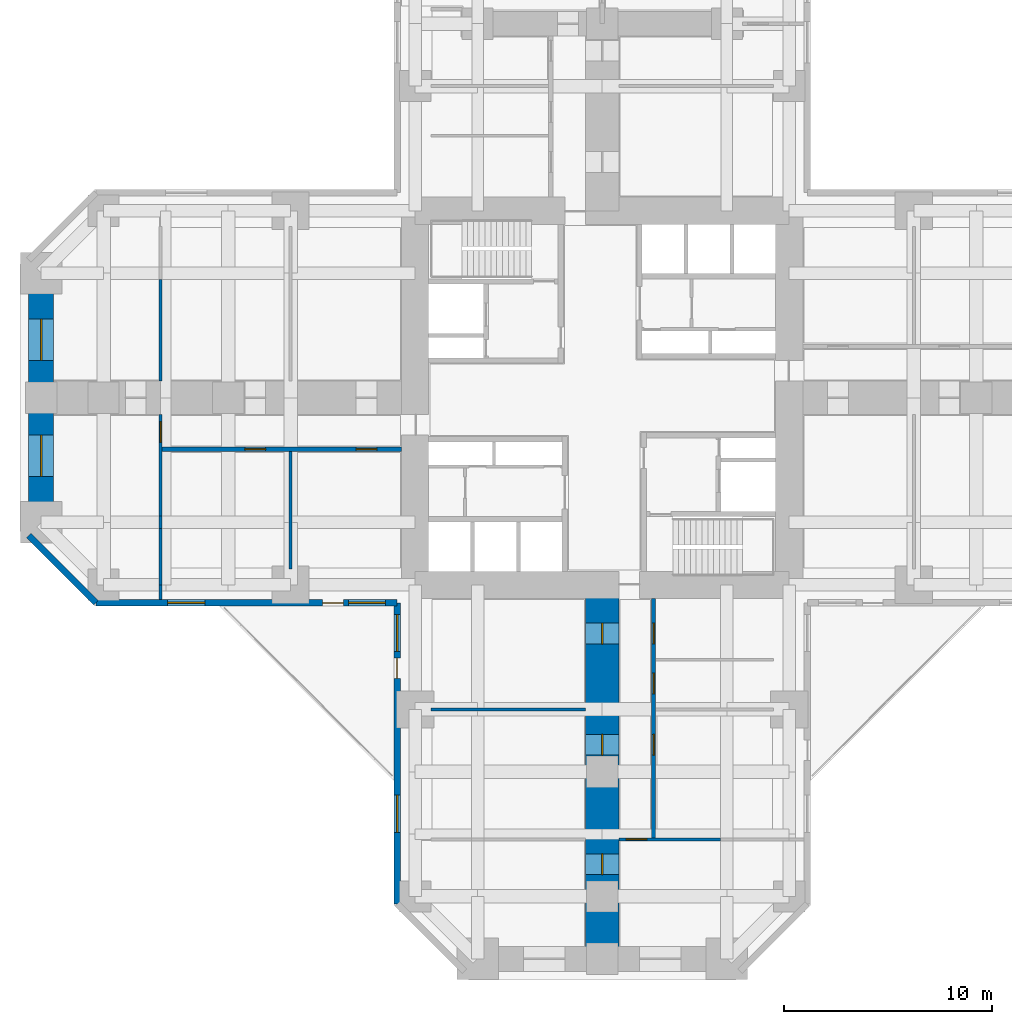
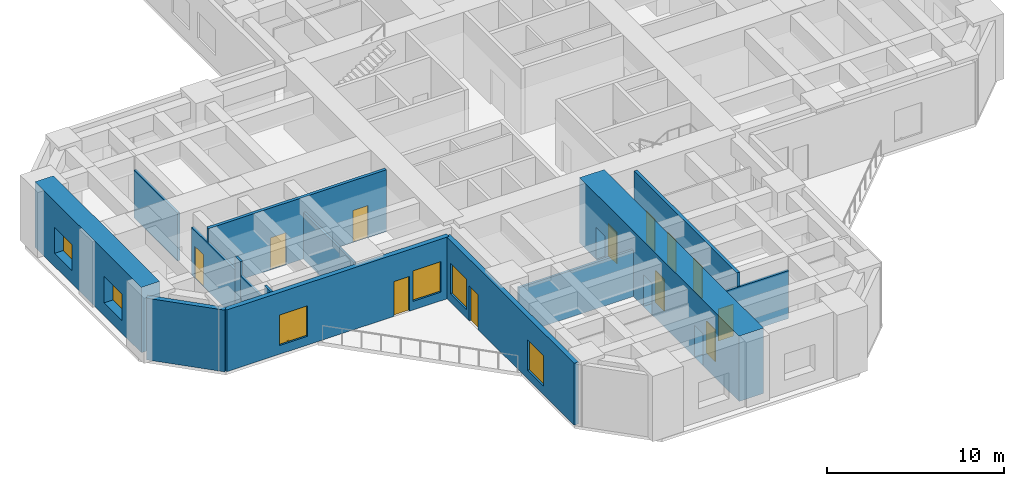
# One storey, part 3 of 8: 15 walls, 12 doors, 6 windows, 18 openings.
"""IFC4 building model written with IfcOpenShell, lengths in metres."""

from ifc_helpers import new_model, si_unit, direction, frame, frame_2d, origin, place, context, subcontext, project, spatial, rectangle, hollow_rectangle, extrude, material, layer, layer_set, constituent, constituent_set, type_object, element, fill, save


model = new_model("IFC4")

# Units and contexts
model_context = context("Model", 3, precision=1e-05, world=origin(), true_north=direction((0.0, 1.0)))
body_context = subcontext(model_context, "Body", "Model", "MODEL_VIEW")
ifc_project = project(units=[si_unit("LENGTHUNIT", "METRE"), si_unit("AREAUNIT", "SQUARE_METRE"), si_unit("VOLUMEUNIT", "CUBIC_METRE"), si_unit("PLANEANGLEUNIT", "RADIAN"), si_unit("MASSUNIT", "GRAM", prefix="KILO")], contexts=[model_context])

# Site, building, storey
site_placement = place(None, origin())
site = spatial("IfcSite", under=ifc_project, at=site_placement, CompositionType="ELEMENT")
building_placement = place(site_placement, origin())
building = spatial("IfcBuilding", under=site, at=building_placement, Name="Torre Cruceta", CompositionType="ELEMENT")
storey_placement = place(building_placement, frame((0.0, 0.0, 14.0)))
storey = spatial("IfcBuildingStorey", under=building, at=storey_placement, Name="L03", CompositionType="ELEMENT", Elevation=14.0)

# Wall, openings, doors
ifc_material_1 = material(Name="Concrete G25 (fck 25 MPa)", Category="concrete")
ifc_layer_1 = layer(ifc_material_1, 0.199951171875)
ifc_layer_set_1 = layer_set([ifc_layer_1], Name="Concrete G25 (fck 25 MPa)")
wall_type_1 = type_object("IfcWallType", Name="CORRIDOR WALL 200", PredefinedType="SOLIDWALL", material=ifc_layer_set_1)
wall_1_placement = place(storey_placement, frame((2.47509765625, -9.64990234375, 0.0), z_axis=(0.0, 0.0, 1.0), x_axis=(0.0, -1.0, 0.0)))
wall_1 = element("IfcWall", 1, at=wall_1_placement, inside=storey, type_object=wall_type_1, Name="PT3 L03-S-CL", PredefinedType="SOLIDWALL", context=body_context, shape_type="SweptSolid", body=[
    extrude(rectangle(XDim=11.60009765625, YDim=0.199951171875, at=frame_2d((5.800048828125, 0.0))), origin(), (0.0, 0.0, 1.0), 4.25),
])
opening_1_placement = place(wall_1_placement, frame((1.199951171875, 0.0, 0.0)))
opening_1 = element("IfcOpeningElement", 2, at=opening_1_placement, cuts=wall_1, Name="Opening D14", PredefinedType="OPENING", context=body_context, shape_type="SweptSolid", body=[
    extrude(rectangle(XDim=1.0, YDim=2.199951171875, at=frame_2d((0.5, 1.10009765625))), frame((0.0, 0.10986328125, 0.0), z_axis=(0.0, -1.0, 0.0), x_axis=(1.0, 0.0, 0.0)), (0.0, 0.0, 1.0), 0.219970703125),
])
opening_2_placement = place(wall_1_placement, frame((3.60009765625, 0.0, 0.0)))
opening_2 = element("IfcOpeningElement", 3, at=opening_2_placement, cuts=wall_1, Name="Opening D14", PredefinedType="OPENING", context=body_context, shape_type="SweptSolid", body=[
    extrude(rectangle(XDim=1.0, YDim=2.199951171875, at=frame_2d((0.5, 1.10009765625))), frame((0.0, 0.10986328125, 0.0), z_axis=(0.0, -1.0, 0.0), x_axis=(1.0, 0.0, 0.0)), (0.0, 0.0, 1.0), 0.219970703125),
])
opening_3_placement = place(wall_1_placement, frame((6.550048828125, 0.0, 0.0)))
opening_3 = element("IfcOpeningElement", 4, at=opening_3_placement, cuts=wall_1, Name="Opening D14", PredefinedType="OPENING", context=body_context, shape_type="SweptSolid", body=[
    extrude(rectangle(XDim=1.0, YDim=2.199951171875, at=frame_2d((0.5, 1.10009765625))), frame((0.0, 0.10986328125, 0.0), z_axis=(0.0, -1.0, 0.0), x_axis=(1.0, 0.0, 0.0)), (0.0, 0.0, 1.0), 0.219970703125),
])
ifc_material_2 = material(Name="Steel DX51D", Category="steel")
ifc_constituent_1 = constituent(ifc_material_2, Name="Leaf and frame")
ifc_material_3 = material(Name="Polyester powder coating", Category="paint")
ifc_constituent_2 = constituent(ifc_material_3, Name="Finish")
ifc_material_4 = material(Name="Fire-resisting glass", Category="glass")
ifc_constituent_3 = constituent(ifc_material_4, Name="Vision panel")
ifc_constituent_set_1 = constituent_set(constituents=[ifc_constituent_1, ifc_constituent_2, ifc_constituent_3], Name="Steel fire door with vision panel")
door_type_1 = type_object("IfcDoorType", Name="FIRE DOOR VISION PANEL 1000X2200", OperationType="SINGLE_SWING_RIGHT", PredefinedType="DOOR", material=ifc_constituent_set_1)
door_1_placement = place(opening_1_placement, origin())
door_1 = element("IfcDoor", 5, at=door_1_placement, inside=storey, type_object=door_type_1, Name="D14 L03-S-CL-D1", OperationType="SINGLE_SWING_RIGHT", OverallHeight=2.199951171875, OverallWidth=1.0, PredefinedType="DOOR", context=body_context, shape_type="SweptSolid", body=[
    extrude(rectangle(XDim=1.0, YDim=2.199951171875, at=frame_2d((0.5, 1.10009765625))), frame((0.0, 0.02490234375, 0.0), z_axis=(0.0, -1.0, 0.0), x_axis=(1.0, 0.0, 0.0)), (0.0, 0.0, 1.0), 0.050048828125),
])
fill(opening_1, door_1)
door_2_placement = place(opening_2_placement, origin())
door_2 = element("IfcDoor", 6, at=door_2_placement, inside=storey, type_object=door_type_1, Name="D14 L03-S-CL-D3", OperationType="SINGLE_SWING_LEFT", OverallHeight=2.199951171875, OverallWidth=1.0, PredefinedType="DOOR", context=body_context, shape_type="SweptSolid", body=[
    extrude(rectangle(XDim=1.0, YDim=2.199951171875, at=frame_2d((0.5, 1.10009765625))), frame((0.0, 0.02490234375, 0.0), z_axis=(0.0, -1.0, 0.0), x_axis=(1.0, 0.0, 0.0)), (0.0, 0.0, 1.0), 0.050048828125),
])
fill(opening_2, door_2)
door_3_placement = place(opening_3_placement, origin())
door_3 = element("IfcDoor", 7, at=door_3_placement, inside=storey, type_object=door_type_1, Name="D14 L03-S-CL-D2", OperationType="SINGLE_SWING_LEFT", OverallHeight=2.199951171875, OverallWidth=1.0, PredefinedType="DOOR", context=body_context, shape_type="SweptSolid", body=[
    extrude(rectangle(XDim=1.0, YDim=2.199951171875, at=frame_2d((0.5, 1.10009765625))), frame((0.0, 0.02490234375, 0.0), z_axis=(0.0, -1.0, 0.0), x_axis=(1.0, 0.0, 0.0)), (0.0, 0.0, 1.0), 0.050048828125),
])
fill(opening_3, door_3)

wall_2_placement = place(storey_placement, frame((-9.64990234375, -2.47509765625, 0.0), z_axis=(0.0, 0.0, 1.0), x_axis=(-1.0, 0.0, 0.0)))
wall_2 = element("IfcWall", 8, at=wall_2_placement, inside=storey, type_object=wall_type_1, Name="PT3 L03-W-CL", PredefinedType="SOLIDWALL", context=body_context, shape_type="SweptSolid", body=[
    extrude(rectangle(XDim=11.60009765625, YDim=0.199951171875, at=frame_2d((5.800048828125, 0.0))), origin(), (0.0, 0.0, 1.0), 4.25),
])
opening_4_placement = place(wall_2_placement, frame((1.199951171875, 0.0, 0.0)))
opening_4 = element("IfcOpeningElement", 9, at=opening_4_placement, cuts=wall_2, Name="Opening D14", PredefinedType="OPENING", context=body_context, shape_type="SweptSolid", body=[
    extrude(rectangle(XDim=1.0, YDim=2.199951171875, at=frame_2d((0.5, 1.10009765625))), frame((0.0, 0.10986328125, 0.0), z_axis=(0.0, -1.0, 0.0), x_axis=(1.0, 0.0, 0.0)), (0.0, 0.0, 1.0), 0.219970703125),
])
opening_5_placement = place(wall_2_placement, frame((6.550048828125, 0.0, 0.0)))
opening_5 = element("IfcOpeningElement", 10, at=opening_5_placement, cuts=wall_2, Name="Opening D14", PredefinedType="OPENING", context=body_context, shape_type="SweptSolid", body=[
    extrude(rectangle(XDim=1.0, YDim=2.199951171875, at=frame_2d((0.5, 1.10009765625))), frame((0.0, 0.10986328125, 0.0), z_axis=(0.0, -1.0, 0.0), x_axis=(1.0, 0.0, 0.0)), (0.0, 0.0, 1.0), 0.219970703125),
])
door_4_placement = place(opening_4_placement, origin())
door_4 = element("IfcDoor", 11, at=door_4_placement, inside=storey, type_object=door_type_1, Name="D14 L03-W-CL-D1", OperationType="SINGLE_SWING_LEFT", OverallHeight=2.199951171875, OverallWidth=1.0, PredefinedType="DOOR", context=body_context, shape_type="SweptSolid", body=[
    extrude(rectangle(XDim=1.0, YDim=2.199951171875, at=frame_2d((0.5, 1.10009765625))), frame((0.0, 0.02490234375, 0.0), z_axis=(0.0, -1.0, 0.0), x_axis=(1.0, 0.0, 0.0)), (0.0, 0.0, 1.0), 0.050048828125),
])
fill(opening_4, door_4)
door_5_placement = place(opening_5_placement, origin())
door_5 = element("IfcDoor", 12, at=door_5_placement, inside=storey, type_object=door_type_1, Name="D14 L03-W-CL-D2", OperationType="SINGLE_SWING_LEFT", OverallHeight=2.199951171875, OverallWidth=1.0, PredefinedType="DOOR", context=body_context, shape_type="SweptSolid", body=[
    extrude(rectangle(XDim=1.0, YDim=2.199951171875, at=frame_2d((0.5, 1.10009765625))), frame((0.0, 0.02490234375, 0.0), z_axis=(0.0, -1.0, 0.0), x_axis=(1.0, 0.0, 0.0)), (0.0, 0.0, 1.0), 0.050048828125),
])
fill(opening_5, door_5)

# Wall
ifc_material_5 = material(Name="Concrete G30 (fck 30 MPa)", Category="concrete")
ifc_layer_2 = layer(ifc_material_5, 0.300048828125)
ifc_layer_set_2 = layer_set([ifc_layer_2], Name="Concrete G30 (fck 30 MPa)")
wall_type_2 = type_object("IfcWallType", Name="EXPOSED CONCRETE FACADE WALL 300", PredefinedType="SOLIDWALL", material=ifc_layer_set_2)
wall_3_placement = place(storey_placement, frame((-27.60009765625, -6.63037109375, 0.0), z_axis=(0.0, 0.0, 1.0), x_axis=(0.707106781187, -0.707106781187, 0.0)))
element("IfcWall", 13, at=wall_3_placement, inside=storey, type_object=wall_type_2, Name="EW1 facade wall L03 W chamfer 13", PredefinedType="SOLIDWALL", context=body_context, shape_type="SweptSolid", body=[
    extrude(rectangle(XDim=4.581787109375, YDim=0.300048828125, at=frame_2d((2.291015625, 0.0))), origin(), (0.0, 0.0, 1.0), 4.25),
])

# Wall, openings, door, windows
wall_4_placement = place(storey_placement, frame((-24.3603515625, -9.8701171875, 0.0), z_axis=(0.0, 0.0, 1.0), x_axis=(1.0, 0.0, 0.0)))
wall_4 = element("IfcWall", 14, at=wall_4_placement, inside=storey, type_object=wall_type_2, Name="EW1 facade wall L03 W side 14", PredefinedType="SOLIDWALL", context=body_context, shape_type="SweptSolid", body=[
    extrude(rectangle(XDim=14.490234375, YDim=0.300048828125, at=frame_2d((7.2451171875, 0.0))), origin(), (0.0, 0.0, 1.0), 4.25),
])
opening_6_placement = place(wall_4_placement, frame((10.89990234375, 0.0, 0.0)))
opening_6 = element("IfcOpeningElement", 15, at=opening_6_placement, cuts=wall_4, Name="Opening D11", PredefinedType="OPENING", context=body_context, shape_type="SweptSolid", body=[
    extrude(rectangle(XDim=1.0, YDim=2.39990234375, at=frame_2d((0.5, 1.199951171875))), frame((0.0, 0.159912109375, 0.0), z_axis=(0.0, -1.0, 0.0), x_axis=(1.0, 0.0, 0.0)), (0.0, 0.0, 1.0), 0.320068359375),
])
opening_7_placement = place(wall_4_placement, frame((3.447021484375, 0.0, 0.60009765625)))
opening_7 = element("IfcOpeningElement", 16, at=opening_7_placement, cuts=wall_4, Name="Opening WN4", PredefinedType="OPENING", context=body_context, shape_type="SweptSolid", body=[
    extrude(rectangle(XDim=1.800048828125, YDim=2.10009765625, at=frame_2d((0.89990234375, 1.050048828125))), frame((0.0, 0.159912109375, 0.0), z_axis=(0.0, -1.0, 0.0), x_axis=(1.0, 0.0, 0.0)), (0.0, 0.0, 1.0), 0.320068359375),
])
opening_8_placement = place(wall_4_placement, frame((12.141357421875, 0.0, 0.60009765625)))
opening_8 = element("IfcOpeningElement", 17, at=opening_8_placement, cuts=wall_4, Name="Opening WN4", PredefinedType="OPENING", context=body_context, shape_type="SweptSolid", body=[
    extrude(rectangle(XDim=1.800048828125, YDim=2.10009765625, at=frame_2d((0.89990234375, 1.050048828125))), frame((0.0, 0.159912109375, 0.0), z_axis=(0.0, -1.0, 0.0), x_axis=(1.0, 0.0, 0.0)), (0.0, 0.0, 1.0), 0.320068359375),
])
ifc_material_6 = material(Name="Aluminium door frame", Category="aluminium")
ifc_constituent_4 = constituent(ifc_material_6, Name="Frame")
ifc_material_7 = material(Name="Laminated safety glass", Category="glass")
ifc_constituent_5 = constituent(ifc_material_7, Name="Glazing")
ifc_constituent_set_2 = constituent_set(constituents=[ifc_constituent_4, ifc_constituent_5], Name="Aluminium glazed door")
door_type_2 = type_object("IfcDoorType", Name="TERRACE DOOR 1000X2400", OperationType="SINGLE_SWING_LEFT", PredefinedType="DOOR", material=ifc_constituent_set_2)
door_6_placement = place(opening_6_placement, origin())
door_6 = element("IfcDoor", 18, at=door_6_placement, inside=storey, type_object=door_type_2, Name="D11 terrace door L03 W", OperationType="SINGLE_SWING_RIGHT", OverallHeight=2.39990234375, OverallWidth=1.0, PredefinedType="DOOR", context=body_context, shape_type="SweptSolid", body=[
    extrude(hollow_rectangle(XDim=1.0, YDim=2.39990234375, WallThickness=0.06005859375, at=frame_2d((0.5, 1.199951171875))), frame((0.0, 0.02490234375, 0.0), z_axis=(0.0, -1.0, 0.0), x_axis=(1.0, 0.0, 0.0)), (0.0, 0.0, 1.0), 0.050048828125),
    extrude(rectangle(XDim=0.87890625, YDim=2.27880859375, at=frame_2d((0.5, 1.199951171875))), frame((0.0, 0.02490234375, 0.0), z_axis=(0.0, -1.0, 0.0), x_axis=(1.0, 0.0, 0.0)), (0.0, 0.0, 1.0), 0.050048828125),
])
fill(opening_6, door_6)
ifc_material_8 = material(Name="Aluminium window frame", Category="aluminium")
ifc_constituent_6 = constituent(ifc_material_8, Name="Frame")
ifc_material_9 = material(Name="Laminated insulating glass unit, low-iron clear", Category="glass")
ifc_constituent_7 = constituent(ifc_material_9, Name="Glazing")
ifc_constituent_set_3 = constituent_set(constituents=[ifc_constituent_6, ifc_constituent_7], Name="Aluminium window")
window_type_1 = type_object("IfcWindowType", Name="TERRACE FRONT WINDOW 1800X2100", PartitioningType="SINGLE_PANEL", PredefinedType="WINDOW", material=ifc_constituent_set_3)
window_1_placement = place(opening_7_placement, origin())
window_1 = element("IfcWindow", 19, at=window_1_placement, inside=storey, type_object=window_type_1, Name="WN4 L03 W 2", OverallHeight=2.10009765625, OverallWidth=1.800048828125, PartitioningType="SINGLE_PANEL", PredefinedType="WINDOW", context=body_context, shape_type="SweptSolid", body=[
    extrude(hollow_rectangle(XDim=1.800048828125, YDim=2.10009765625, WallThickness=0.06005859375, at=frame_2d((0.89990234375, 1.050048828125))), frame((0.0, 0.030029296875, 0.0), z_axis=(0.0, -1.0, 0.0), x_axis=(1.0, 0.0, 0.0)), (0.0, 0.0, 1.0), 0.06005859375),
    extrude(rectangle(XDim=1.678955078125, YDim=1.97900390625, at=frame_2d((0.89990234375, 1.050048828125))), frame((0.0, 0.030029296875, 0.0), z_axis=(0.0, -1.0, 0.0), x_axis=(1.0, 0.0, 0.0)), (0.0, 0.0, 1.0), 0.06005859375),
])
fill(opening_7, window_1)
window_2_placement = place(opening_8_placement, origin())
window_2 = element("IfcWindow", 20, at=window_2_placement, inside=storey, type_object=window_type_1, Name="WN4 L03 W 5", OverallHeight=2.10009765625, OverallWidth=1.800048828125, PartitioningType="SINGLE_PANEL", PredefinedType="WINDOW", context=body_context, shape_type="SweptSolid", body=[
    extrude(hollow_rectangle(XDim=1.800048828125, YDim=2.10009765625, WallThickness=0.06005859375, at=frame_2d((0.89990234375, 1.050048828125))), frame((0.0, 0.030029296875, 0.0), z_axis=(0.0, -1.0, 0.0), x_axis=(1.0, 0.0, 0.0)), (0.0, 0.0, 1.0), 0.06005859375),
    extrude(rectangle(XDim=1.678955078125, YDim=1.97900390625, at=frame_2d((0.89990234375, 1.050048828125))), frame((0.0, 0.030029296875, 0.0), z_axis=(0.0, -1.0, 0.0), x_axis=(1.0, 0.0, 0.0)), (0.0, 0.0, 1.0), 0.06005859375),
])
fill(opening_8, window_2)

wall_5_placement = place(storey_placement, frame((-9.8701171875, -9.8701171875, 0.0), z_axis=(0.0, 0.0, 1.0), x_axis=(0.0, -1.0, 0.0)))
wall_5 = element("IfcWall", 21, at=wall_5_placement, inside=storey, type_object=wall_type_2, Name="EW1 facade wall L03 S side 15", PredefinedType="SOLIDWALL", context=body_context, shape_type="SweptSolid", body=[
    extrude(rectangle(XDim=14.490234375, YDim=0.300048828125, at=frame_2d((7.2451171875, 0.0))), origin(), (0.0, 0.0, 1.0), 4.25),
])
opening_9_placement = place(wall_5_placement, frame((2.64990234375, 0.0, 0.0)))
opening_9 = element("IfcOpeningElement", 22, at=opening_9_placement, cuts=wall_5, Name="Opening D11", PredefinedType="OPENING", context=body_context, shape_type="SweptSolid", body=[
    extrude(rectangle(XDim=1.0, YDim=2.39990234375, at=frame_2d((0.5, 1.199951171875))), frame((0.0, 0.159912109375, 0.0), z_axis=(0.0, -1.0, 0.0), x_axis=(1.0, 0.0, 0.0)), (0.0, 0.0, 1.0), 0.320068359375),
])
opening_10_placement = place(wall_5_placement, frame((0.549072265625, 0.0, 0.60009765625)))
opening_10 = element("IfcOpeningElement", 23, at=opening_10_placement, cuts=wall_5, Name="Opening WN4", PredefinedType="OPENING", context=body_context, shape_type="SweptSolid", body=[
    extrude(rectangle(XDim=1.800048828125, YDim=2.10009765625, at=frame_2d((0.89990234375, 1.050048828125))), frame((0.0, 0.159912109375, 0.0), z_axis=(0.0, -1.0, 0.0), x_axis=(1.0, 0.0, 0.0)), (0.0, 0.0, 1.0), 0.320068359375),
])
opening_11_placement = place(wall_5_placement, frame((9.2431640625, 0.0, 0.60009765625)))
opening_11 = element("IfcOpeningElement", 24, at=opening_11_placement, cuts=wall_5, Name="Opening WN4", PredefinedType="OPENING", context=body_context, shape_type="SweptSolid", body=[
    extrude(rectangle(XDim=1.800048828125, YDim=2.10009765625, at=frame_2d((0.89990234375, 1.050048828125))), frame((0.0, 0.159912109375, 0.0), z_axis=(0.0, -1.0, 0.0), x_axis=(1.0, 0.0, 0.0)), (0.0, 0.0, 1.0), 0.320068359375),
])
door_7_placement = place(opening_9_placement, origin())
door_7 = element("IfcDoor", 25, at=door_7_placement, inside=storey, type_object=door_type_2, Name="D11 terrace door L03 S", OperationType="SINGLE_SWING_LEFT", OverallHeight=2.39990234375, OverallWidth=1.0, PredefinedType="DOOR", context=body_context, shape_type="SweptSolid", body=[
    extrude(hollow_rectangle(XDim=1.0, YDim=2.39990234375, WallThickness=0.06005859375, at=frame_2d((0.5, 1.199951171875))), frame((0.0, 0.02490234375, 0.0), z_axis=(0.0, -1.0, 0.0), x_axis=(1.0, 0.0, 0.0)), (0.0, 0.0, 1.0), 0.050048828125),
    extrude(rectangle(XDim=0.87890625, YDim=2.27880859375, at=frame_2d((0.5, 1.199951171875))), frame((0.0, 0.02490234375, 0.0), z_axis=(0.0, -1.0, 0.0), x_axis=(1.0, 0.0, 0.0)), (0.0, 0.0, 1.0), 0.050048828125),
])
fill(opening_9, door_7)
window_3_placement = place(opening_10_placement, origin())
window_3 = element("IfcWindow", 26, at=window_3_placement, inside=storey, type_object=window_type_1, Name="WN4 L03 S 1", OverallHeight=2.10009765625, OverallWidth=1.800048828125, PartitioningType="SINGLE_PANEL", PredefinedType="WINDOW", context=body_context, shape_type="SweptSolid", body=[
    extrude(hollow_rectangle(XDim=1.800048828125, YDim=2.10009765625, WallThickness=0.06005859375, at=frame_2d((0.89990234375, 1.050048828125))), frame((0.0, 0.030029296875, 0.0), z_axis=(0.0, -1.0, 0.0), x_axis=(1.0, 0.0, 0.0)), (0.0, 0.0, 1.0), 0.06005859375),
    extrude(rectangle(XDim=1.678955078125, YDim=1.97900390625, at=frame_2d((0.89990234375, 1.050048828125))), frame((0.0, 0.030029296875, 0.0), z_axis=(0.0, -1.0, 0.0), x_axis=(1.0, 0.0, 0.0)), (0.0, 0.0, 1.0), 0.06005859375),
])
fill(opening_10, window_3)
window_4_placement = place(opening_11_placement, origin())
window_4 = element("IfcWindow", 27, at=window_4_placement, inside=storey, type_object=window_type_1, Name="WN4 L03 S 4", OverallHeight=2.10009765625, OverallWidth=1.800048828125, PartitioningType="SINGLE_PANEL", PredefinedType="WINDOW", context=body_context, shape_type="SweptSolid", body=[
    extrude(hollow_rectangle(XDim=1.800048828125, YDim=2.10009765625, WallThickness=0.06005859375, at=frame_2d((0.89990234375, 1.050048828125))), frame((0.0, 0.030029296875, 0.0), z_axis=(0.0, -1.0, 0.0), x_axis=(1.0, 0.0, 0.0)), (0.0, 0.0, 1.0), 0.06005859375),
    extrude(rectangle(XDim=1.678955078125, YDim=1.97900390625, at=frame_2d((0.89990234375, 1.050048828125))), frame((0.0, 0.030029296875, 0.0), z_axis=(0.0, -1.0, 0.0), x_axis=(1.0, 0.0, 0.0)), (0.0, 0.0, 1.0), 0.06005859375),
])
fill(opening_11, window_4)

# Wall, openings, windows
ifc_material_10 = material(Name="Concrete G60 (fck 60 MPa)", Category="concrete")
ifc_layer_3 = layer(ifc_material_10, 1.199951171875)
ifc_layer_set_3 = layer_set([ifc_layer_3], Name="Concrete G60 (fck 60 MPa)")
wall_type_3 = type_object("IfcWallType", Name="NOSE WALL 1200 G60", PredefinedType="SHEAR", material=ifc_layer_set_3)
wall_6_placement = place(storey_placement, frame((-27.0, 6.0, 0.0), z_axis=(0.0, 0.0, 1.0), x_axis=(0.0, -1.0, 0.0)))
wall_6 = element("IfcWall", 28, at=wall_6_placement, inside=storey, type_object=wall_type_3, Name="NW1 nose wall L03 W", PredefinedType="SHEAR", context=body_context, shape_type="SweptSolid", body=[
    extrude(rectangle(XDim=12.0, YDim=1.199951171875, at=frame_2d((6.0, 0.0))), origin(), (0.0, 0.0, 1.0), 4.5),
])
opening_12_placement = place(wall_6_placement, frame((2.199951171875, 0.0, 0.89990234375)))
opening_12 = element("IfcOpeningElement", 29, at=opening_12_placement, cuts=wall_6, Name="Opening WN1", PredefinedType="OPENING", context=body_context, shape_type="SweptSolid", body=[
    extrude(rectangle(XDim=2.0, YDim=1.800048828125, at=frame_2d((1.0, 0.89990234375))), frame((0.0, 0.60986328125, 0.0), z_axis=(0.0, -1.0, 0.0), x_axis=(1.0, 0.0, 0.0)), (0.0, 0.0, 1.0), 1.219970703125),
])
opening_13_placement = place(wall_6_placement, frame((7.800048828125, 0.0, 0.89990234375)))
opening_13 = element("IfcOpeningElement", 30, at=opening_13_placement, cuts=wall_6, Name="Opening WN1", PredefinedType="OPENING", context=body_context, shape_type="SweptSolid", body=[
    extrude(rectangle(XDim=2.0, YDim=1.800048828125, at=frame_2d((1.0, 0.89990234375))), frame((0.0, 0.60986328125, 0.0), z_axis=(0.0, -1.0, 0.0), x_axis=(1.0, 0.0, 0.0)), (0.0, 0.0, 1.0), 1.219970703125),
])
ifc_material_11 = material(Name="Aluminium window frame", Category="aluminium")
ifc_constituent_8 = constituent(ifc_material_11, Name="Frame")
ifc_material_12 = material(Name="Laminated insulating glass unit, low-iron clear", Category="glass")
ifc_constituent_9 = constituent(ifc_material_12, Name="Glazing")
ifc_constituent_set_4 = constituent_set(constituents=[ifc_constituent_8, ifc_constituent_9], Name="Aluminium window")
window_type_2 = type_object("IfcWindowType", Name="SCHOOL WINDOW 2000X1800", PartitioningType="SINGLE_PANEL", PredefinedType="WINDOW", material=ifc_constituent_set_4)
window_5_placement = place(opening_12_placement, origin())
window_5 = element("IfcWindow", 31, at=window_5_placement, inside=storey, type_object=window_type_2, Name="WN1 L03 W 1", OverallHeight=1.800048828125, OverallWidth=2.0, PartitioningType="SINGLE_PANEL", PredefinedType="WINDOW", context=body_context, shape_type="SweptSolid", body=[
    extrude(hollow_rectangle(XDim=2.0, YDim=1.800048828125, WallThickness=0.06005859375, at=frame_2d((1.0, 0.89990234375))), frame((0.0, 0.030029296875, 0.0), z_axis=(0.0, -1.0, 0.0), x_axis=(1.0, 0.0, 0.0)), (0.0, 0.0, 1.0), 0.06005859375),
    extrude(rectangle(XDim=1.87890625, YDim=1.678955078125, at=frame_2d((1.0, 0.89990234375))), frame((0.0, 0.030029296875, 0.0), z_axis=(0.0, -1.0, 0.0), x_axis=(1.0, 0.0, 0.0)), (0.0, 0.0, 1.0), 0.06005859375),
])
fill(opening_12, window_5)
window_6_placement = place(opening_13_placement, origin())
window_6 = element("IfcWindow", 32, at=window_6_placement, inside=storey, type_object=window_type_2, Name="WN1 L03 W 2", OverallHeight=1.800048828125, OverallWidth=2.0, PartitioningType="SINGLE_PANEL", PredefinedType="WINDOW", context=body_context, shape_type="SweptSolid", body=[
    extrude(hollow_rectangle(XDim=2.0, YDim=1.800048828125, WallThickness=0.06005859375, at=frame_2d((1.0, 0.89990234375))), frame((0.0, 0.030029296875, 0.0), z_axis=(0.0, -1.0, 0.0), x_axis=(1.0, 0.0, 0.0)), (0.0, 0.0, 1.0), 0.06005859375),
    extrude(rectangle(XDim=1.87890625, YDim=1.678955078125, at=frame_2d((1.0, 0.89990234375))), frame((0.0, 0.030029296875, 0.0), z_axis=(0.0, -1.0, 0.0), x_axis=(1.0, 0.0, 0.0)), (0.0, 0.0, 1.0), 0.06005859375),
])
fill(opening_13, window_6)

# Wall
ifc_material_13 = material(Name="Plasterboard on steel studs", Category="steel")
ifc_layer_4 = layer(ifc_material_13, 0.14990234375)
ifc_layer_set_4 = layer_set([ifc_layer_4], Name="Plasterboard on steel studs")
wall_type_4 = type_object("IfcWallType", Name="PARTITION 150", PredefinedType="PARTITIONING", material=ifc_layer_set_4)
wall_7_placement = place(storey_placement, frame((-8.25, -15.0, 0.0), z_axis=(0.0, 0.0, 1.0), x_axis=(1.0, 0.0, 0.0)))
element("IfcWall", 33, at=wall_7_placement, inside=storey, type_object=wall_type_4, Name="PT1 L03-S-P1R", PredefinedType="PARTITIONING", context=body_context, shape_type="SweptSolid", body=[
    extrude(rectangle(XDim=7.449951171875, YDim=0.14990234375, at=frame_2d((3.72509765625, 0.0))), origin(), (0.0, 0.0, 1.0), 3.199951171875),
])

# Wall, opening, door
wall_8_placement = place(storey_placement, frame((0.800048828125, -21.25, 0.0), z_axis=(0.0, 0.0, 1.0), x_axis=(1.0, 0.0, 0.0)))
wall_8 = element("IfcWall", 34, at=wall_8_placement, inside=storey, type_object=wall_type_4, Name="PT1 L03-S-ENDb", PredefinedType="PARTITIONING", context=body_context, shape_type="SweptSolid", body=[
    extrude(rectangle(XDim=4.89990234375, YDim=0.14990234375, at=frame_2d((2.449951171875, 0.0))), origin(), (0.0, 0.0, 1.0), 3.300048828125),
])
opening_14_placement = place(wall_8_placement, frame((0.35009765625, 0.0, 0.0)))
opening_14 = element("IfcOpeningElement", 35, at=opening_14_placement, cuts=wall_8, Name="Opening D14", PredefinedType="OPENING", context=body_context, shape_type="SweptSolid", body=[
    extrude(rectangle(XDim=1.0, YDim=2.199951171875, at=frame_2d((0.5, 1.10009765625))), frame((0.0, 0.0849609375, 0.0), z_axis=(0.0, -1.0, 0.0), x_axis=(1.0, 0.0, 0.0)), (0.0, 0.0, 1.0), 0.169921875),
])
door_8_placement = place(opening_14_placement, frame((1.0, 0.0, 0.0), z_axis=(0.0, 0.0, 1.0), x_axis=(-1.0, 0.0, 0.0)))
door_8 = element("IfcDoor", 36, at=door_8_placement, inside=storey, type_object=door_type_1, Name="D14 L03-S-ENDb-D1", OperationType="SINGLE_SWING_LEFT", OverallHeight=2.199951171875, OverallWidth=1.0, PredefinedType="DOOR", context=body_context, shape_type="SweptSolid", body=[
    extrude(rectangle(XDim=1.0, YDim=2.199951171875, at=frame_2d((0.5, 1.10009765625))), frame((0.0, 0.025146484375, 0.0), z_axis=(0.0, -1.0, 0.0), x_axis=(1.0, 0.0, 0.0)), (0.0, 0.0, 1.0), 0.050048828125),
])
fill(opening_14, door_8)

# Walls
wall_9_placement = place(storey_placement, frame((-15.0, -2.574951171875, 0.0), z_axis=(0.0, 0.0, 1.0), x_axis=(0.0, -1.0, 0.0)))
element("IfcWall", 37, at=wall_9_placement, inside=storey, type_object=wall_type_4, Name="PT1 L03-W-P1L", PredefinedType="PARTITIONING", context=body_context, shape_type="SweptSolid", body=[
    extrude(rectangle(XDim=5.675048828125, YDim=0.14990234375, at=frame_2d((2.83740234375, 0.0))), origin(), (0.0, 0.0, 1.0), 3.199951171875),
])
wall_10_placement = place(storey_placement, frame((-21.25, 5.699951171875, 0.0), z_axis=(0.0, 0.0, 1.0), x_axis=(0.0, -1.0, 0.0)))
element("IfcWall", 38, at=wall_10_placement, inside=storey, type_object=wall_type_4, Name="PT1 L03-W-ENDa 3", PredefinedType="PARTITIONING", context=body_context, shape_type="SweptSolid", body=[
    extrude(rectangle(XDim=4.89990234375, YDim=0.14990234375, at=frame_2d((2.449951171875, 0.0))), origin(), (0.0, 0.0, 1.0), 3.300048828125),
])

# Wall, opening, door
wall_11_placement = place(storey_placement, frame((-21.25, -0.800048828125, 0.0), z_axis=(0.0, 0.0, 1.0), x_axis=(0.0, -1.0, 0.0)))
wall_11 = element("IfcWall", 39, at=wall_11_placement, inside=storey, type_object=wall_type_4, Name="PT1 L03-W-ENDb", PredefinedType="PARTITIONING", context=body_context, shape_type="SweptSolid", body=[
    extrude(rectangle(XDim=4.89990234375, YDim=0.14990234375, at=frame_2d((2.449951171875, 0.0))), origin(), (0.0, 0.0, 1.0), 3.300048828125),
])
opening_15_placement = place(wall_11_placement, frame((0.35009765625, 0.0, 0.0)))
opening_15 = element("IfcOpeningElement", 40, at=opening_15_placement, cuts=wall_11, Name="Opening D14", PredefinedType="OPENING", context=body_context, shape_type="SweptSolid", body=[
    extrude(rectangle(XDim=1.0, YDim=2.199951171875, at=frame_2d((0.5, 1.10009765625))), frame((0.0, 0.0849609375, 0.0), z_axis=(0.0, -1.0, 0.0), x_axis=(1.0, 0.0, 0.0)), (0.0, 0.0, 1.0), 0.169921875),
])
door_9_placement = place(opening_15_placement, frame((1.0, 0.0, 0.0), z_axis=(0.0, 0.0, 1.0), x_axis=(-1.0, 0.0, 0.0)))
door_9 = element("IfcDoor", 41, at=door_9_placement, inside=storey, type_object=door_type_1, Name="D14 L03-W-ENDb-D1", OperationType="SINGLE_SWING_LEFT", OverallHeight=2.199951171875, OverallWidth=1.0, PredefinedType="DOOR", context=body_context, shape_type="SweptSolid", body=[
    extrude(rectangle(XDim=1.0, YDim=2.199951171875, at=frame_2d((0.5, 1.10009765625))), frame((0.0, 0.025146484375, 0.0), z_axis=(0.0, -1.0, 0.0), x_axis=(1.0, 0.0, 0.0)), (0.0, 0.0, 1.0), 0.050048828125),
])
fill(opening_15, door_9)

# Walls
wall_12_placement = place(storey_placement, frame((-21.25, -5.699951171875, 0.0), z_axis=(0.0, 0.0, 1.0), x_axis=(0.0, -1.0, 0.0)))
element("IfcWall", 42, at=wall_12_placement, inside=storey, type_object=wall_type_4, Name="PT1 L03-W-ENDb 2", PredefinedType="PARTITIONING", context=body_context, shape_type="SweptSolid", body=[
    extrude(rectangle(XDim=0.60009765625, YDim=0.14990234375, at=frame_2d((0.300048828125, 0.0))), origin(), (0.0, 0.0, 1.0), 4.25),
])
wall_13_placement = place(storey_placement, frame((-21.25, -6.300048828125, 0.0), z_axis=(0.0, 0.0, 1.0), x_axis=(0.0, -1.0, 0.0)))
element("IfcWall", 43, at=wall_13_placement, inside=storey, type_object=wall_type_4, Name="PT1 L03-W-ENDb 3", PredefinedType="PARTITIONING", context=body_context, shape_type="SweptSolid", body=[
    extrude(rectangle(XDim=2.699951171875, YDim=0.14990234375, at=frame_2d((1.35009765625, 0.0))), origin(), (0.0, 0.0, 1.0), 3.300048828125),
])
wall_14_placement = place(storey_placement, frame((-21.25, -9.0, 0.0), z_axis=(0.0, 0.0, 1.0), x_axis=(0.0, -1.0, 0.0)))
element("IfcWall", 44, at=wall_14_placement, inside=storey, type_object=wall_type_4, Name="PT1 L03-W-ENDb 4", PredefinedType="PARTITIONING", context=body_context, shape_type="SweptSolid", body=[
    extrude(rectangle(XDim=0.719970703125, YDim=0.14990234375, at=frame_2d((0.35986328125, 0.0))), origin(), (0.0, 0.0, 1.0), 4.25),
])

# Wall, openings, doors
ifc_material_14 = material(Name="Concrete G60 (fck 60 MPa)", Category="concrete")
ifc_layer_5 = layer(ifc_material_14, 1.60009765625)
ifc_layer_set_5 = layer_set([ifc_layer_5], Name="Concrete G60 (fck 60 MPa)")
wall_type_5 = type_object("IfcWallType", Name="SPINE WALL 1600 G60", PredefinedType="SHEAR", material=ifc_layer_set_5)
wall_15_placement = place(storey_placement, frame((0.0, -9.0, 0.0), z_axis=(0.0, 0.0, 1.0), x_axis=(0.0, -1.0, 0.0)))
wall_15 = element("IfcWall", 45, at=wall_15_placement, inside=storey, type_object=wall_type_5, Name="SW2 spine wall L03 S", PredefinedType="SHEAR", context=body_context, shape_type="SweptSolid", body=[
    extrude(rectangle(XDim=18.0, YDim=1.60009765625, at=frame_2d((9.0, 0.0))), origin(), (0.0, 0.0, 1.0), 4.5),
])
opening_16_placement = place(wall_15_placement, frame((1.85009765625, 0.0, 0.0)))
opening_16 = element("IfcOpeningElement", 46, at=opening_16_placement, cuts=wall_15, Name="Opening D14", PredefinedType="OPENING", context=body_context, shape_type="SweptSolid", body=[
    extrude(rectangle(XDim=1.0, YDim=2.199951171875, at=frame_2d((0.5, 1.10009765625))), frame((0.0, 0.81005859375, 0.0), z_axis=(0.0, -1.0, 0.0), x_axis=(1.0, 0.0, 0.0)), (0.0, 0.0, 1.0), 1.6201171875),
])
opening_17_placement = place(wall_15_placement, frame((7.199951171875, 0.0, 0.0)))
opening_17 = element("IfcOpeningElement", 47, at=opening_17_placement, cuts=wall_15, Name="Opening D14", PredefinedType="OPENING", context=body_context, shape_type="SweptSolid", body=[
    extrude(rectangle(XDim=1.0, YDim=2.199951171875, at=frame_2d((0.5, 1.10009765625))), frame((0.0, 0.81005859375, 0.0), z_axis=(0.0, -1.0, 0.0), x_axis=(1.0, 0.0, 0.0)), (0.0, 0.0, 1.0), 1.6201171875),
])
opening_18_placement = place(wall_15_placement, frame((12.949951171875, 0.0, 0.0)))
opening_18 = element("IfcOpeningElement", 48, at=opening_18_placement, cuts=wall_15, Name="Opening D14", PredefinedType="OPENING", context=body_context, shape_type="SweptSolid", body=[
    extrude(rectangle(XDim=1.0, YDim=2.199951171875, at=frame_2d((0.5, 1.10009765625))), frame((0.0, 0.81005859375, 0.0), z_axis=(0.0, -1.0, 0.0), x_axis=(1.0, 0.0, 0.0)), (0.0, 0.0, 1.0), 1.6201171875),
])
door_10_placement = place(opening_16_placement, frame((1.0, 0.0, 0.0), z_axis=(0.0, 0.0, 1.0), x_axis=(-1.0, 0.0, 0.0)))
door_10 = element("IfcDoor", 49, at=door_10_placement, inside=storey, type_object=door_type_1, Name="D14 L03-S-SP1", OperationType="SINGLE_SWING_RIGHT", OverallHeight=2.199951171875, OverallWidth=1.0, PredefinedType="DOOR", context=body_context, shape_type="SweptSolid", body=[
    extrude(rectangle(XDim=1.0, YDim=2.199951171875, at=frame_2d((0.5, 1.10009765625))), frame((0.0, 0.025146484375, 0.0), z_axis=(0.0, -1.0, 0.0), x_axis=(1.0, 0.0, 0.0)), (0.0, 0.0, 1.0), 0.050048828125),
])
fill(opening_16, door_10)
door_11_placement = place(opening_17_placement, frame((1.0, 0.0, 0.0), z_axis=(0.0, 0.0, 1.0), x_axis=(-1.0, 0.0, 0.0)))
door_11 = element("IfcDoor", 50, at=door_11_placement, inside=storey, type_object=door_type_1, Name="D14 L03-S-SP2", OperationType="SINGLE_SWING_RIGHT", OverallHeight=2.199951171875, OverallWidth=1.0, PredefinedType="DOOR", context=body_context, shape_type="SweptSolid", body=[
    extrude(rectangle(XDim=1.0, YDim=2.199951171875, at=frame_2d((0.5, 1.10009765625))), frame((0.0, 0.025146484375, 0.0), z_axis=(0.0, -1.0, 0.0), x_axis=(1.0, 0.0, 0.0)), (0.0, 0.0, 1.0), 0.050048828125),
])
fill(opening_17, door_11)
door_12_placement = place(opening_18_placement, origin())
door_12 = element("IfcDoor", 51, at=door_12_placement, inside=storey, type_object=door_type_1, Name="D14 L03-S-SP3", OperationType="SINGLE_SWING_RIGHT", OverallHeight=2.199951171875, OverallWidth=1.0, PredefinedType="DOOR", context=body_context, shape_type="SweptSolid", body=[
    extrude(rectangle(XDim=1.0, YDim=2.199951171875, at=frame_2d((0.5, 1.10009765625))), frame((0.0, 0.02490234375, 0.0), z_axis=(0.0, -1.0, 0.0), x_axis=(1.0, 0.0, 0.0)), (0.0, 0.0, 1.0), 0.050048828125),
])
fill(opening_18, door_12)

save(model, "model.ifc")
